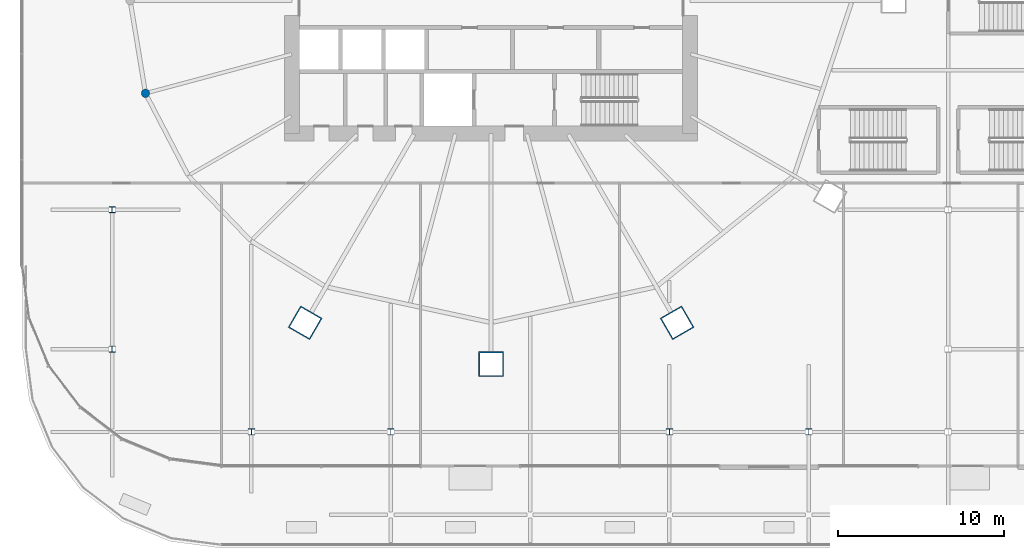
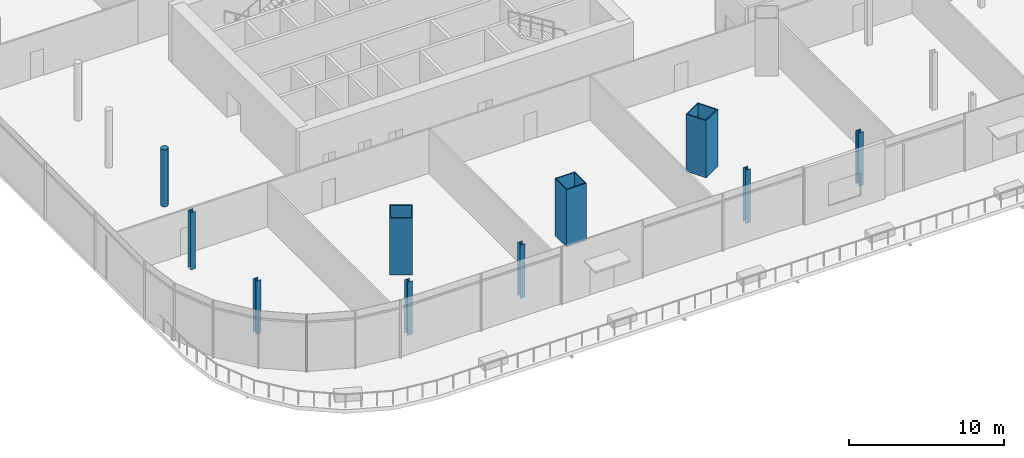
# One storey, part 1 of 52: 10 columns.
"""IFC4 building model written with IfcOpenShell, lengths in metres."""

import ifcopenshell
import ifcopenshell.guid

model = None  # the IFC model being written
_history = None  # IfcOwnerHistory: only IFC2X3 demands one
_inside = {}  # id of a spatial element -> (the spatial element, [elements in it])
_under = {}  # id of a project, library or spatial element -> (it, [spatial elements below it])
_declared = {}  # id of a project -> (the project, [libraries it declares])
_typed = {}  # id of a type object -> (the type object, [elements of that type])
_made_of = {}  # id of a material, layer set ... -> (it, [elements and type objects made of it])


def new_model(schema):
    """Start an empty IFC model of exactly this schema.

    Asked for "IFC4X3", IfcOpenShell would pick the latest addendum, in which some entities
    have other attributes; the version numbers below select the first issue.
    IFC2X3 requires an IfcOwnerHistory on every rooted entity: one is made here for all.
    """
    global model, _history
    if schema == "IFC4X3":
        model = ifcopenshell.file(schema_version=(4, 3, 0, 0))
    else:
        model = ifcopenshell.file(schema=schema)
    _inside.clear()
    _under.clear()
    _declared.clear()
    _typed.clear()
    _made_of.clear()
    _history = None
    if model.schema == "IFC2X3":
        org = make("IfcOrganization", Name="unknown")
        user = make(
            "IfcPersonAndOrganization",
            ThePerson=make("IfcPerson", FamilyName="unknown"),
            TheOrganization=org,
        )
        app = make(
            "IfcApplication",
            ApplicationDeveloper=org,
            Version="unknown",
            ApplicationFullName="unknown",
            ApplicationIdentifier="unknown",
        )
        _history = make(
            "IfcOwnerHistory",
            OwningUser=user,
            OwningApplication=app,
            ChangeAction="ADDED",
            CreationDate=0,
        )
    return model


def make(cls, **values):
    """One entity of the class cls with the attributes given. An attribute that is None is left unset."""
    return model.create_entity(
        cls, **{name: value for name, value in values.items() if value is not None}
    )


def rooted(cls, **values):
    """An entity with a GlobalId (a new one), such as an element, a storey or a relation."""
    return make(cls, GlobalId=ifcopenshell.guid.new(), OwnerHistory=_history, **values)


def si_unit(unit_type, name, prefix=None):
    """IfcSIUnit, for example si_unit("LENGTHUNIT", "METRE", prefix="MILLI")."""
    return make("IfcSIUnit", UnitType=unit_type, Prefix=prefix, Name=name)


def assignment(units):
    """IfcUnitAssignment: the units of a project."""
    return None if units is None else make("IfcUnitAssignment", Units=units)


def point(xyz):
    """IfcCartesianPoint."""
    return None if xyz is None else make("IfcCartesianPoint", Coordinates=xyz)


def direction(xyz):
    """IfcDirection."""
    return None if xyz is None else make("IfcDirection", DirectionRatios=xyz)


def frame(location, z_axis=None, x_axis=None):
    """IfcAxis2Placement3D, a coordinate frame: its origin and axes. An axis left out is left unset."""
    return make(
        "IfcAxis2Placement3D",
        Location=point(location),
        Axis=direction(z_axis),
        RefDirection=direction(x_axis),
    )


def frame_2d(location, x_axis=None):
    """IfcAxis2Placement2D, a coordinate frame in the plane: its origin and x axis."""
    return make(
        "IfcAxis2Placement2D", Location=point(location), RefDirection=direction(x_axis)
    )


def origin():
    """The frame at (0, 0, 0) with its axes left unset."""
    return frame((0.0, 0.0, 0.0))


def origin_2d():
    """The frame at (0, 0) in the plane with its x axis left unset."""
    return frame_2d((0.0, 0.0))


def place(relative_to, where):
    """IfcLocalPlacement: puts the frame where relative to a parent placement (None: the world)."""
    return make(
        "IfcLocalPlacement", PlacementRelTo=relative_to, RelativePlacement=where
    )


def context(
    kind, dimensions, precision=None, world=None, true_north=None, identifier=None
):
    """IfcGeometricRepresentationContext, for example the 3D "Model" context."""
    return make(
        "IfcGeometricRepresentationContext",
        ContextIdentifier=identifier,
        ContextType=kind,
        CoordinateSpaceDimension=dimensions,
        Precision=precision,
        WorldCoordinateSystem=world,
        TrueNorth=true_north,
    )


def subcontext(parent, identifier, kind, view, scale=None):
    """IfcGeometricRepresentationSubContext, for example "Body" below "Model"."""
    return make(
        "IfcGeometricRepresentationSubContext",
        ContextIdentifier=identifier,
        ContextType=kind,
        ParentContext=parent,
        TargetScale=scale,
        TargetView=view,
    )


def project(units=None, contexts=None):
    """IfcProject with its units and contexts."""
    return rooted(
        "IfcProject",
        Name="project",
        RepresentationContexts=contexts,
        UnitsInContext=assignment(units),
    )


def spatial(cls, under=None, at=None, **own):
    """A site, building, storey or space (cls), placed at a placement, below another one or the project."""
    s = rooted(cls, ObjectPlacement=at, **own)
    if under is not None:
        _under.setdefault(under.id(), (under, []))[1].append(s)
    return s


def profile(cls, at=None, kind="AREA", **sizes):
    """A parametric profile (cls). Its sizes go by their IFC names, for example OverallWidth=200.0."""
    return make(cls, ProfileType=kind, Position=at, **sizes)


def hollow_rectangle(**sizes):
    """IfcRectangleHollowProfileDef."""
    return profile("IfcRectangleHollowProfileDef", **sizes)


def circle(**sizes):
    """IfcCircleProfileDef."""
    return profile("IfcCircleProfileDef", **sizes)


def i_section(**sizes):
    """IfcIShapeProfileDef."""
    return profile("IfcIShapeProfileDef", **sizes)


def extrude(swept, where, along, depth):
    """IfcExtrudedAreaSolid: the profile swept, set in the frame where, extruded along a direction by depth."""
    return make(
        "IfcExtrudedAreaSolid",
        SweptArea=swept,
        Position=where,
        ExtrudedDirection=direction(along),
        Depth=depth,
    )


def shape(context_of_items, identifier, shape_type, items):
    """IfcShapeRepresentation: the items that make up one representation, for example the "Body"."""
    return make(
        "IfcShapeRepresentation",
        ContextOfItems=context_of_items,
        RepresentationIdentifier=identifier,
        RepresentationType=shape_type,
        Items=items,
    )


def material(Name=None, Category=None):
    """IfcMaterial."""
    return make("IfcMaterial", Name=Name, Category=Category)


def material_profile(
    of_material, cross_section, Name=None, Category=None, Priority=None
):
    """IfcMaterialProfile: a cross section and its material."""
    return make(
        "IfcMaterialProfile",
        Name=Name,
        Material=of_material,
        Profile=cross_section,
        Priority=Priority,
        Category=Category,
    )


def profile_set(profiles, Name=None, composite=None):
    """IfcMaterialProfileSet."""
    return make(
        "IfcMaterialProfileSet",
        Name=Name,
        MaterialProfiles=profiles,
        CompositeProfile=composite,
    )


def made_of(thing, what):
    """Note that an element or type object is made of a material, layer set ...; save() writes the relation."""
    if what is not None:
        _made_of.setdefault(what.id(), (what, []))[1].append(thing)
    return thing


def type_object(cls, material=None, **own):
    """A type object (cls), such as IfcWallType, which elements share."""
    return made_of(rooted(cls, **own), material)


def element(
    cls,
    number,
    at=None,
    inside=None,
    cuts=None,
    type_object=None,
    material=None,
    context=None,
    identifier="Body",
    shape_type=None,
    held_by="IfcProductDefinitionShape",
    body=None,
    shapes=None,
    **own,
):
    """One element of the class cls, such as IfcWall. Its Tag is "e" and its number.

    at: its placement. inside: the storey or other place that contains it. cuts: it is an
    opening in that element (IfcRelVoidsElement). A single representation is given by context,
    identifier, shape_type and body (its items); several are given by shapes. held_by: the class
    of the entity that holds the representations. save() writes the other relations.
    """
    e = rooted(cls, Tag="e%d" % number, ObjectPlacement=at, **own)
    if body is not None:
        shapes = [shape(context, identifier, shape_type, body)]
    if shapes is not None:
        e.Representation = make(held_by, Representations=shapes)
    if inside is not None:
        _inside.setdefault(inside.id(), (inside, []))[1].append(e)
    if cuts is not None:
        rooted(
            "IfcRelVoidsElement", RelatingBuildingElement=cuts, RelatedOpeningElement=e
        )
    if type_object is not None:
        _typed.setdefault(type_object.id(), (type_object, []))[1].append(e)
    return made_of(e, material)


def aggregate(whole, parts):
    """IfcRelAggregates: a whole, such as a stair, and the parts it consists of."""
    return rooted("IfcRelAggregates", RelatingObject=whole, RelatedObjects=parts)


def save(model, path):
    """Write the relations noted so far, then the file.

    IfcRelAggregates (storeys below a building ...), IfcRelContainedInSpatialStructure (elements
    in a storey), IfcRelDefinesByType, IfcRelAssociatesMaterial and IfcRelDeclares: one each for
    every whole, place, type object, material and project.
    """
    for whole, parts in _under.values():
        aggregate(whole, parts)
    for where, things in _inside.values():
        rooted(
            "IfcRelContainedInSpatialStructure",
            RelatedElements=things,
            RelatingStructure=where,
        )
    for kind, things in _typed.values():
        rooted("IfcRelDefinesByType", RelatedObjects=things, RelatingType=kind)
    for what, things in _made_of.values():
        rooted("IfcRelAssociatesMaterial", RelatedObjects=things, RelatingMaterial=what)
    for by, libraries in _declared.values():
        rooted("IfcRelDeclares", RelatingContext=by, RelatedDefinitions=libraries)
    model.write(path)


model = new_model("IFC4")

# Units and contexts
model_context = context("Model", 3, precision=1e-05, world=origin(), true_north=direction((0.0, 1.0)))
body_context = subcontext(model_context, "Body", "Model", "MODEL_VIEW")
ifc_project = project(units=[si_unit("LENGTHUNIT", "METRE"), si_unit("AREAUNIT", "SQUARE_METRE"), si_unit("VOLUMEUNIT", "CUBIC_METRE"), si_unit("PLANEANGLEUNIT", "RADIAN"), si_unit("MASSUNIT", "GRAM", prefix="KILO")], contexts=[model_context])

# Site, building, storey
site_placement = place(None, origin())
site = spatial("IfcSite", under=ifc_project, at=site_placement, CompositionType="ELEMENT")
building_placement = place(site_placement, origin())
building = spatial("IfcBuilding", under=site, at=building_placement, Name="Rimbun Link Towers", CompositionType="ELEMENT")
storey_placement = place(building_placement, frame((0.0, 0.0, 21.0)))
storey = spatial("IfcBuildingStorey", under=building, at=storey_placement, Name="L04", CompositionType="ELEMENT", Elevation=21.0)

# Columns
ifc_material_1 = material(Name="Steel S460N", Category="steel")
ifc_material_profile_1 = material_profile(ifc_material_1, hollow_rectangle(XDim=1.5, YDim=1.5, WallThickness=0.070068359375, at=origin_2d()), Name="BOX 1500x1500x70")
ifc_profile_set_1 = profile_set([ifc_material_profile_1], Name="Steel S460N")
column_type_1 = type_object("IfcColumnType", Name="BOX 1500x1500x70", PredefinedType="COLUMN", material=ifc_profile_set_1)
for number, where, z_axis, x_axis, name in (
    (1, (-42.961181640625, -19.418212890625, 0.0), (0.0, 0.0, 1.0), (-0.5, -0.866025403784, 0.0), "Mega column T1 L04 16"),
    (2, (-31.75, -21.904296875, 0.0), (0.0, 0.0, 1.0), (0.0, -1.0, 0.0), "Mega column T1 L04 18"),
    (3, (-20.538818359375, -19.418212890625, 0.0), (0.0, 0.0, 1.0), (0.5, -0.866025403784, 0.0), "Mega column T1 L04 20"),
):
    element("IfcColumn", number, at=place(storey_placement, frame(where, z_axis=z_axis, x_axis=x_axis)), inside=storey, type_object=column_type_1, Name=name, PredefinedType="COLUMN", context=body_context, shape_type="SweptSolid", body=[
        extrude(hollow_rectangle(XDim=1.5, YDim=1.5, WallThickness=0.070068359375, at=origin_2d()), origin(), (0.0, 0.0, 1.0), 4.5),
    ])
ifc_material_2 = material(Name="Concrete C80/95", Category="concrete")
ifc_material_profile_2 = material_profile(ifc_material_2, circle(Radius=0.25, at=origin_2d()), Name="RC D500")
ifc_profile_set_2 = profile_set([ifc_material_profile_2], Name="Concrete C80/95")
column_type_2 = type_object("IfcColumnType", Name="RC D500", PredefinedType="COLUMN", material=ifc_profile_set_2)
column_1_placement = place(storey_placement, frame((-52.58642578125, -5.5830078125, 0.0), z_axis=(0.0, 0.0, 1.0), x_axis=(1.0, 0.0, 0.0)))
element("IfcColumn", 4, at=column_1_placement, inside=storey, type_object=column_type_2, Name="Recess post T1 L04 13", PredefinedType="COLUMN", context=body_context, shape_type="SweptSolid", body=[
    extrude(circle(Radius=0.25, at=origin_2d()), origin(), (0.0, 0.0, 1.0), 4.5),
])
ifc_material_3 = material(Name="Steel S355J2", Category="steel")
ifc_material_profile_3 = material_profile(ifc_material_3, i_section(OverallWidth=0.37060546875, OverallDepth=0.362060546875, WebThickness=0.01220703125, FlangeThickness=0.020751953125, at=origin_2d()), Name="UC 356x368x153")
ifc_profile_set_3 = profile_set([ifc_material_profile_3], Name="Steel S355J2")
column_type_3 = type_object("IfcColumnType", Name="UC 356x368x153", PredefinedType="COLUMN", material=ifc_profile_set_3)
column_2_placement = place(storey_placement, frame((-54.60009765625, -21.0, 0.0), z_axis=(0.0, 0.0, 1.0), x_axis=(1.0, 0.0, 0.0)))
element("IfcColumn", 5, at=column_2_placement, inside=storey, type_object=column_type_3, Name="Column L04 -54.6 -21.0", PredefinedType="COLUMN", context=body_context, shape_type="SweptSolid", body=[
    extrude(i_section(OverallWidth=0.37060546875, OverallDepth=0.362060546875, WebThickness=0.01220703125, FlangeThickness=0.020751953125, at=origin_2d()), origin(), (0.0, 0.0, 1.0), 4.199951171875),
])
column_3_placement = place(storey_placement, frame((-54.60009765625, -12.60009765625, 0.0), z_axis=(0.0, 0.0, 1.0), x_axis=(1.0, 0.0, 0.0)))
element("IfcColumn", 6, at=column_3_placement, inside=storey, type_object=column_type_3, Name="Column L04 -54.6 -12.6", PredefinedType="COLUMN", context=body_context, shape_type="SweptSolid", body=[
    extrude(i_section(OverallWidth=0.37060546875, OverallDepth=0.362060546875, WebThickness=0.01220703125, FlangeThickness=0.020751953125, at=origin_2d()), origin(), (0.0, 0.0, 1.0), 4.5),
])
for number, where, z_axis, x_axis, name in (
    (7, (-46.199951171875, -26.0, 0.0), (0.0, 0.0, 1.0), (1.0, 0.0, 0.0), "Column L04 -46.2 -26.0"),
    (8, (-37.800048828125, -26.0, 0.0), (0.0, 0.0, 1.0), (1.0, 0.0, 0.0), "Column L04 -37.8 -26.0"),
    (9, (-21.0, -26.0, 0.0), (0.0, 0.0, 1.0), (1.0, 0.0, 0.0), "Column L04 -21.0 -26.0"),
    (10, (-12.60009765625, -26.0, 0.0), (0.0, 0.0, 1.0), (1.0, 0.0, 0.0), "Column L04 -12.6 -26.0"),
):
    element("IfcColumn", number, at=place(storey_placement, frame(where, z_axis=z_axis, x_axis=x_axis)), inside=storey, type_object=column_type_3, Name=name, PredefinedType="COLUMN", context=body_context, shape_type="SweptSolid", body=[
        extrude(i_section(OverallWidth=0.37060546875, OverallDepth=0.362060546875, WebThickness=0.01220703125, FlangeThickness=0.020751953125, at=origin_2d()), origin(), (0.0, 0.0, 1.0), 4.199951171875),
    ])

save(model, "model.ifc")
